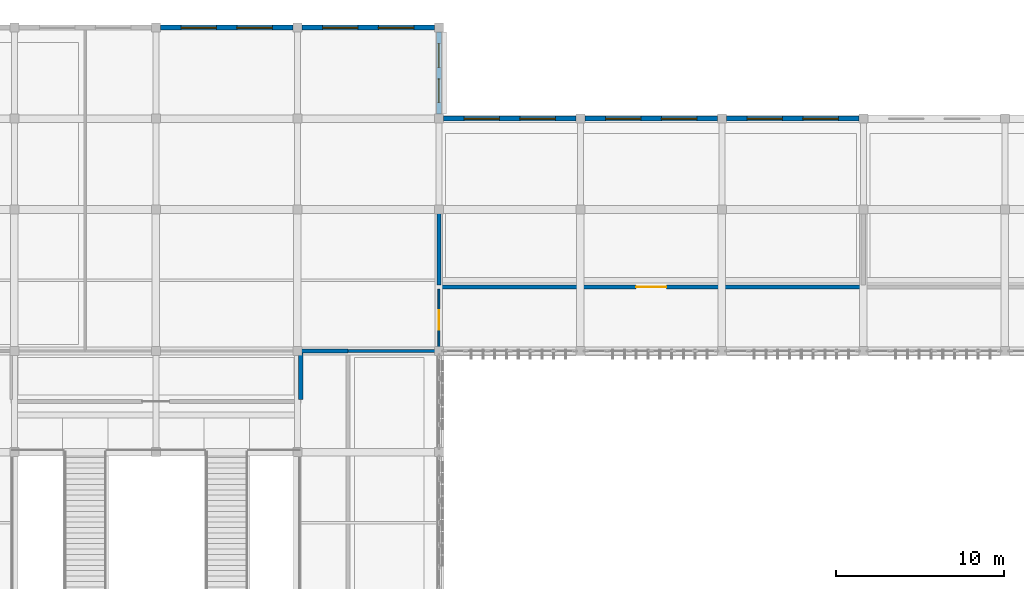
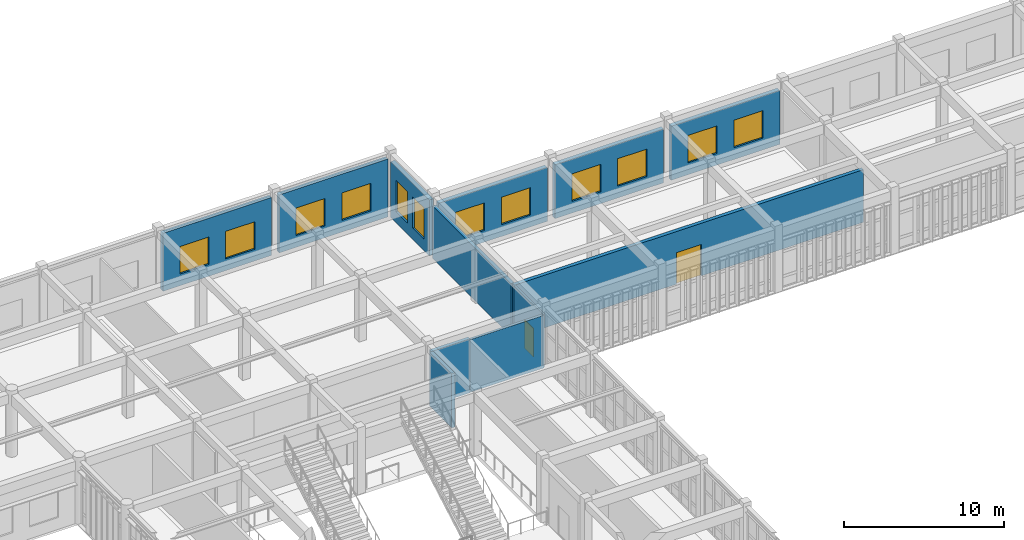
# One storey, part 91 of 106: 12 walls, 12 windows, 2 doors, 14 openings.
"""IFC4 building model written with IfcOpenShell, lengths in metres."""

from ifc_helpers import new_model, si_unit, direction, frame, frame_2d, origin, place, context, subcontext, project, spatial, rectangle, extrude, material, layer, layer_set, type_object, element, fill, save


model = new_model("IFC4")

# Units and contexts
model_context = context("Model", 3, precision=1e-05, world=origin(), true_north=direction((0.0, 1.0)))
body_context = subcontext(model_context, "Body", "Model", "MODEL_VIEW")
ifc_project = project(units=[si_unit("LENGTHUNIT", "METRE"), si_unit("AREAUNIT", "SQUARE_METRE"), si_unit("VOLUMEUNIT", "CUBIC_METRE"), si_unit("PLANEANGLEUNIT", "RADIAN"), si_unit("MASSUNIT", "GRAM", prefix="KILO")], contexts=[model_context])

# Site, building, storey
site_placement = place(None, origin())
site = spatial("IfcSite", under=ifc_project, at=site_placement, CompositionType="ELEMENT")
building_placement = place(site_placement, origin())
building = spatial("IfcBuilding", under=site, at=building_placement, Name="Krzemoval Escarpment Law Courts", CompositionType="ELEMENT")
storey_placement = place(building_placement, frame((0.0, 0.0, 5.10009765625)))
storey = spatial("IfcBuildingStorey", under=building, at=storey_placement, Name="L01", CompositionType="ELEMENT", Elevation=5.10009765625)

# Wall, openings, windows
ifc_material_1 = material(Name="Precast concrete C40/50", Category="concrete")
ifc_layer_1 = layer(ifc_material_1, 0.300048828125)
ifc_layer_set_1 = layer_set([ifc_layer_1], Name="Precast concrete C40/50")
wall_type_1 = type_object("IfcWallType", Name="WL-EXT-300", PredefinedType="SOLIDWALL", material=ifc_layer_set_1)
wall_1_placement = place(storey_placement, frame((25.47509765625, 118.800048828125, 0.0), z_axis=(0.0, 0.0, 1.0), x_axis=(1.0, 0.0, 0.0)))
wall_1 = element("IfcWall", 1, at=wall_1_placement, inside=storey, type_object=wall_type_1, Name="Exterior Wall EW-L01-0183", PredefinedType="SOLIDWALL", context=body_context, shape_type="SweptSolid", body=[
    extrude(rectangle(XDim=7.849853515625, YDim=0.300048828125, at=frame_2d((3.9248046875, 0.0))), origin(), (0.0, 0.0, 1.0), 4.429931640625),
])
opening_1_placement = place(wall_1_placement, frame((1.217041015625, 0.0, 0.89990234375)))
opening_1 = element("IfcOpeningElement", 2, at=opening_1_placement, cuts=wall_1, Name="Opening WN-L01-0161", PredefinedType="OPENING", context=body_context, shape_type="SweptSolid", body=[
    extrude(rectangle(XDim=2.10009765625, YDim=2.10009765625, at=frame_2d((1.050048828125, 1.050048828125))), frame((0.0, 0.16502, 0.0), z_axis=(0.0, -1.0, 0.0), x_axis=(1.0, 0.0, 0.0)), (0.0, 0.0, 1.0), 0.33005),
])
opening_2_placement = place(wall_1_placement, frame((4.532958984375, 0.0, 0.89990234375)))
opening_2 = element("IfcOpeningElement", 3, at=opening_2_placement, cuts=wall_1, Name="Opening WN-L01-0162", PredefinedType="OPENING", context=body_context, shape_type="SweptSolid", body=[
    extrude(rectangle(XDim=2.10009765625, YDim=2.10009765625, at=frame_2d((1.050048828125, 1.050048828125))), frame((0.0, 0.16502, 0.0), z_axis=(0.0, -1.0, 0.0), x_axis=(1.0, 0.0, 0.0)), (0.0, 0.0, 1.0), 0.33005),
])
ifc_material_2 = material(Name="Thermally Broken Aluminium Frame with Triple Low-E Acoustic Glass", Category="aluminium")
window_type_1 = type_object("IfcWindowType", Name="WN-2100x2100", PartitioningType="SINGLE_PANEL", PredefinedType="WINDOW", material=ifc_material_2)
window_1_placement = place(opening_1_placement, origin())
window_1 = element("IfcWindow", 4, at=window_1_placement, inside=storey, type_object=window_type_1, Name="Facade Window WN-L01-0161", OverallHeight=2.10009765625, OverallWidth=2.10009765625, PartitioningType="SINGLE_PANEL", PredefinedType="WINDOW", context=body_context, shape_type="SweptSolid", body=[
    extrude(rectangle(XDim=2.10009765625, YDim=2.10009765625, at=frame_2d((1.050048828125, 1.050048828125))), frame((0.0, 0.030029296875, 0.0), z_axis=(0.0, -1.0, 0.0), x_axis=(1.0, 0.0, 0.0)), (0.0, 0.0, 1.0), 0.06005859375),
])
fill(opening_1, window_1)
window_2_placement = place(opening_2_placement, origin())
window_2 = element("IfcWindow", 5, at=window_2_placement, inside=storey, type_object=window_type_1, Name="Facade Window WN-L01-0162", OverallHeight=2.10009765625, OverallWidth=2.10009765625, PartitioningType="SINGLE_PANEL", PredefinedType="WINDOW", context=body_context, shape_type="SweptSolid", body=[
    extrude(rectangle(XDim=2.10009765625, YDim=2.10009765625, at=frame_2d((1.050048828125, 1.050048828125))), frame((0.0, 0.030029296875, 0.0), z_axis=(0.0, -1.0, 0.0), x_axis=(1.0, 0.0, 0.0)), (0.0, 0.0, 1.0), 0.06005859375),
])
fill(opening_2, window_2)

wall_2_placement = place(storey_placement, frame((33.875, 118.800048828125, 0.0), z_axis=(0.0, 0.0, 1.0), x_axis=(1.0, 0.0, 0.0)))
wall_2 = element("IfcWall", 6, at=wall_2_placement, inside=storey, type_object=wall_type_1, Name="Exterior Wall EW-L01-0184", PredefinedType="SOLIDWALL", context=body_context, shape_type="SweptSolid", body=[
    extrude(rectangle(XDim=7.85009765625, YDim=0.300048828125, at=frame_2d((3.925048828125, 0.0))), origin(), (0.0, 0.0, 1.0), 4.429931640625),
])
opening_3_placement = place(wall_2_placement, frame((1.217041015625, 0.0, 0.89990234375)))
opening_3 = element("IfcOpeningElement", 7, at=opening_3_placement, cuts=wall_2, Name="Opening WN-L01-0163", PredefinedType="OPENING", context=body_context, shape_type="SweptSolid", body=[
    extrude(rectangle(XDim=2.10009765625, YDim=2.10009765625, at=frame_2d((1.050048828125, 1.050048828125))), frame((0.0, 0.16502, 0.0), z_axis=(0.0, -1.0, 0.0), x_axis=(1.0, 0.0, 0.0)), (0.0, 0.0, 1.0), 0.33005),
])
opening_4_placement = place(wall_2_placement, frame((4.532958984375, 0.0, 0.89990234375)))
opening_4 = element("IfcOpeningElement", 8, at=opening_4_placement, cuts=wall_2, Name="Opening WN-L01-0164", PredefinedType="OPENING", context=body_context, shape_type="SweptSolid", body=[
    extrude(rectangle(XDim=2.10009765625, YDim=2.10009765625, at=frame_2d((1.050048828125, 1.050048828125))), frame((0.0, 0.16502, 0.0), z_axis=(0.0, -1.0, 0.0), x_axis=(1.0, 0.0, 0.0)), (0.0, 0.0, 1.0), 0.33005),
])
window_3_placement = place(opening_3_placement, origin())
window_3 = element("IfcWindow", 9, at=window_3_placement, inside=storey, type_object=window_type_1, Name="Facade Window WN-L01-0163", OverallHeight=2.10009765625, OverallWidth=2.10009765625, PartitioningType="SINGLE_PANEL", PredefinedType="WINDOW", context=body_context, shape_type="SweptSolid", body=[
    extrude(rectangle(XDim=2.10009765625, YDim=2.10009765625, at=frame_2d((1.050048828125, 1.050048828125))), frame((0.0, 0.030029296875, 0.0), z_axis=(0.0, -1.0, 0.0), x_axis=(1.0, 0.0, 0.0)), (0.0, 0.0, 1.0), 0.06005859375),
])
fill(opening_3, window_3)
window_4_placement = place(opening_4_placement, origin())
window_4 = element("IfcWindow", 10, at=window_4_placement, inside=storey, type_object=window_type_1, Name="Facade Window WN-L01-0164", OverallHeight=2.10009765625, OverallWidth=2.10009765625, PartitioningType="SINGLE_PANEL", PredefinedType="WINDOW", context=body_context, shape_type="SweptSolid", body=[
    extrude(rectangle(XDim=2.10009765625, YDim=2.10009765625, at=frame_2d((1.050048828125, 1.050048828125))), frame((0.0, 0.030029296875, 0.0), z_axis=(0.0, -1.0, 0.0), x_axis=(1.0, 0.0, 0.0)), (0.0, 0.0, 1.0), 0.06005859375),
])
fill(opening_4, window_4)

wall_3_placement = place(storey_placement, frame((42.0, 118.52490234375, 0.0), z_axis=(0.0, 0.0, 1.0), x_axis=(0.0, -1.0, 0.0)))
wall_3 = element("IfcWall", 11, at=wall_3_placement, inside=storey, type_object=wall_type_1, Name="Exterior Wall EW-L01-0185", PredefinedType="SOLIDWALL", context=body_context, shape_type="SweptSolid", body=[
    extrude(rectangle(XDim=4.849853515625, YDim=0.300048828125, at=frame_2d((2.4248046875, 0.0))), origin(), (0.0, 0.0, 1.0), 4.27001953125),
])
opening_5_placement = place(wall_3_placement, frame((0.68310546875, 0.0, 0.85009765625)))
opening_5 = element("IfcOpeningElement", 12, at=opening_5_placement, cuts=wall_3, Name="Opening WN-L01-0165", PredefinedType="OPENING", context=body_context, shape_type="SweptSolid", body=[
    extrude(rectangle(XDim=1.39990234375, YDim=2.39990234375, at=frame_2d((0.699951171875, 1.199951171875))), frame((0.0, 0.16502, 0.0), z_axis=(0.0, -1.0, 0.0), x_axis=(1.0, 0.0, 0.0)), (0.0, 0.0, 1.0), 0.33005),
])
opening_6_placement = place(wall_3_placement, frame((2.76708984375, 0.0, 0.85009765625)))
opening_6 = element("IfcOpeningElement", 13, at=opening_6_placement, cuts=wall_3, Name="Opening WN-L01-0166", PredefinedType="OPENING", context=body_context, shape_type="SweptSolid", body=[
    extrude(rectangle(XDim=1.39990234375, YDim=2.39990234375, at=frame_2d((0.699951171875, 1.199951171875))), frame((0.0, 0.16502, 0.0), z_axis=(0.0, -1.0, 0.0), x_axis=(1.0, 0.0, 0.0)), (0.0, 0.0, 1.0), 0.33005),
])
ifc_material_3 = material(Name="Thermally Broken Aluminium Frame with Triple Low-E Acoustic Glass", Category="aluminium")
window_type_2 = type_object("IfcWindowType", Name="WN-1400x2400", PartitioningType="SINGLE_PANEL", PredefinedType="WINDOW", material=ifc_material_3)
window_5_placement = place(opening_5_placement, origin())
window_5 = element("IfcWindow", 14, at=window_5_placement, inside=storey, type_object=window_type_2, Name="Facade Window WN-L01-0165", OverallHeight=2.39990234375, OverallWidth=1.39990234375, PartitioningType="SINGLE_PANEL", PredefinedType="WINDOW", context=body_context, shape_type="SweptSolid", body=[
    extrude(rectangle(XDim=1.39990234375, YDim=2.39990234375, at=frame_2d((0.699951171875, 1.199951171875))), frame((0.0, 0.030029296875, 0.0), z_axis=(0.0, -1.0, 0.0), x_axis=(1.0, 0.0, 0.0)), (0.0, 0.0, 1.0), 0.06005859375),
])
fill(opening_5, window_5)
window_6_placement = place(opening_6_placement, origin())
window_6 = element("IfcWindow", 15, at=window_6_placement, inside=storey, type_object=window_type_2, Name="Facade Window WN-L01-0166", OverallHeight=2.39990234375, OverallWidth=1.39990234375, PartitioningType="SINGLE_PANEL", PredefinedType="WINDOW", context=body_context, shape_type="SweptSolid", body=[
    extrude(rectangle(XDim=1.39990234375, YDim=2.39990234375, at=frame_2d((0.699951171875, 1.199951171875))), frame((0.0, 0.030029296875, 0.0), z_axis=(0.0, -1.0, 0.0), x_axis=(1.0, 0.0, 0.0)), (0.0, 0.0, 1.0), 0.06005859375),
])
fill(opening_6, window_6)

wall_4_placement = place(storey_placement, frame((42.27490234375, 113.39990234375, 0.0), z_axis=(0.0, 0.0, 1.0), x_axis=(1.0, 0.0, 0.0)))
wall_4 = element("IfcWall", 16, at=wall_4_placement, inside=storey, type_object=wall_type_1, Name="Exterior Wall EW-L01-0186", PredefinedType="SOLIDWALL", context=body_context, shape_type="SweptSolid", body=[
    extrude(rectangle(XDim=7.85009765625, YDim=0.300048828125, at=frame_2d((3.925048828125, 0.0))), origin(), (0.0, 0.0, 1.0), 4.119873046875),
])
opening_7_placement = place(wall_4_placement, frame((1.217041015625, 0.0, 0.89990234375)))
opening_7 = element("IfcOpeningElement", 17, at=opening_7_placement, cuts=wall_4, Name="Opening WN-L01-0167", PredefinedType="OPENING", context=body_context, shape_type="SweptSolid", body=[
    extrude(rectangle(XDim=2.10009765625, YDim=2.10009765625, at=frame_2d((1.050048828125, 1.050048828125))), frame((0.0, 0.16502, 0.0), z_axis=(0.0, -1.0, 0.0), x_axis=(1.0, 0.0, 0.0)), (0.0, 0.0, 1.0), 0.33005),
])
opening_8_placement = place(wall_4_placement, frame((4.532958984375, 0.0, 0.89990234375)))
opening_8 = element("IfcOpeningElement", 18, at=opening_8_placement, cuts=wall_4, Name="Opening WN-L01-0168", PredefinedType="OPENING", context=body_context, shape_type="SweptSolid", body=[
    extrude(rectangle(XDim=2.10009765625, YDim=2.10009765625, at=frame_2d((1.050048828125, 1.050048828125))), frame((0.0, 0.16502, 0.0), z_axis=(0.0, -1.0, 0.0), x_axis=(1.0, 0.0, 0.0)), (0.0, 0.0, 1.0), 0.33005),
])
window_7_placement = place(opening_7_placement, origin())
window_7 = element("IfcWindow", 19, at=window_7_placement, inside=storey, type_object=window_type_1, Name="Facade Window WN-L01-0167", OverallHeight=2.10009765625, OverallWidth=2.10009765625, PartitioningType="SINGLE_PANEL", PredefinedType="WINDOW", context=body_context, shape_type="SweptSolid", body=[
    extrude(rectangle(XDim=2.10009765625, YDim=2.10009765625, at=frame_2d((1.050048828125, 1.050048828125))), frame((0.0, 0.030029296875, 0.0), z_axis=(0.0, -1.0, 0.0), x_axis=(1.0, 0.0, 0.0)), (0.0, 0.0, 1.0), 0.06005859375),
])
fill(opening_7, window_7)
window_8_placement = place(opening_8_placement, origin())
window_8 = element("IfcWindow", 20, at=window_8_placement, inside=storey, type_object=window_type_1, Name="Facade Window WN-L01-0168", OverallHeight=2.10009765625, OverallWidth=2.10009765625, PartitioningType="SINGLE_PANEL", PredefinedType="WINDOW", context=body_context, shape_type="SweptSolid", body=[
    extrude(rectangle(XDim=2.10009765625, YDim=2.10009765625, at=frame_2d((1.050048828125, 1.050048828125))), frame((0.0, 0.030029296875, 0.0), z_axis=(0.0, -1.0, 0.0), x_axis=(1.0, 0.0, 0.0)), (0.0, 0.0, 1.0), 0.06005859375),
])
fill(opening_8, window_8)

wall_5_placement = place(storey_placement, frame((50.675048828125, 113.39990234375, 0.0), z_axis=(0.0, 0.0, 1.0), x_axis=(1.0, 0.0, 0.0)))
wall_5 = element("IfcWall", 21, at=wall_5_placement, inside=storey, type_object=wall_type_1, Name="Exterior Wall EW-L01-0187", PredefinedType="SOLIDWALL", context=body_context, shape_type="SweptSolid", body=[
    extrude(rectangle(XDim=7.849853515625, YDim=0.300048828125, at=frame_2d((3.9248046875, 0.0))), origin(), (0.0, 0.0, 1.0), 4.119873046875),
])
opening_9_placement = place(wall_5_placement, frame((1.217041015625, 0.0, 0.89990234375)))
opening_9 = element("IfcOpeningElement", 22, at=opening_9_placement, cuts=wall_5, Name="Opening WN-L01-0169", PredefinedType="OPENING", context=body_context, shape_type="SweptSolid", body=[
    extrude(rectangle(XDim=2.10009765625, YDim=2.10009765625, at=frame_2d((1.050048828125, 1.050048828125))), frame((0.0, 0.16502, 0.0), z_axis=(0.0, -1.0, 0.0), x_axis=(1.0, 0.0, 0.0)), (0.0, 0.0, 1.0), 0.33005),
])
opening_10_placement = place(wall_5_placement, frame((4.532958984375, 0.0, 0.89990234375)))
opening_10 = element("IfcOpeningElement", 23, at=opening_10_placement, cuts=wall_5, Name="Opening WN-L01-0170", PredefinedType="OPENING", context=body_context, shape_type="SweptSolid", body=[
    extrude(rectangle(XDim=2.10009765625, YDim=2.10009765625, at=frame_2d((1.050048828125, 1.050048828125))), frame((0.0, 0.16502, 0.0), z_axis=(0.0, -1.0, 0.0), x_axis=(1.0, 0.0, 0.0)), (0.0, 0.0, 1.0), 0.33005),
])
window_9_placement = place(opening_9_placement, origin())
window_9 = element("IfcWindow", 24, at=window_9_placement, inside=storey, type_object=window_type_1, Name="Facade Window WN-L01-0169", OverallHeight=2.10009765625, OverallWidth=2.10009765625, PartitioningType="SINGLE_PANEL", PredefinedType="WINDOW", context=body_context, shape_type="SweptSolid", body=[
    extrude(rectangle(XDim=2.10009765625, YDim=2.10009765625, at=frame_2d((1.050048828125, 1.050048828125))), frame((0.0, 0.030029296875, 0.0), z_axis=(0.0, -1.0, 0.0), x_axis=(1.0, 0.0, 0.0)), (0.0, 0.0, 1.0), 0.06005859375),
])
fill(opening_9, window_9)
window_10_placement = place(opening_10_placement, origin())
window_10 = element("IfcWindow", 25, at=window_10_placement, inside=storey, type_object=window_type_1, Name="Facade Window WN-L01-0170", OverallHeight=2.10009765625, OverallWidth=2.10009765625, PartitioningType="SINGLE_PANEL", PredefinedType="WINDOW", context=body_context, shape_type="SweptSolid", body=[
    extrude(rectangle(XDim=2.10009765625, YDim=2.10009765625, at=frame_2d((1.050048828125, 1.050048828125))), frame((0.0, 0.030029296875, 0.0), z_axis=(0.0, -1.0, 0.0), x_axis=(1.0, 0.0, 0.0)), (0.0, 0.0, 1.0), 0.06005859375),
])
fill(opening_10, window_10)

wall_6_placement = place(storey_placement, frame((59.074951171875, 113.39990234375, 0.0), z_axis=(0.0, 0.0, 1.0), x_axis=(1.0, 0.0, 0.0)))
wall_6 = element("IfcWall", 26, at=wall_6_placement, inside=storey, type_object=wall_type_1, Name="Exterior Wall EW-L01-0188", PredefinedType="SOLIDWALL", context=body_context, shape_type="SweptSolid", body=[
    extrude(rectangle(XDim=7.85009765625, YDim=0.300048828125, at=frame_2d((3.925048828125, 0.0))), origin(), (0.0, 0.0, 1.0), 4.119873046875),
])
opening_11_placement = place(wall_6_placement, frame((1.217041015625, 0.0, 0.89990234375)))
opening_11 = element("IfcOpeningElement", 27, at=opening_11_placement, cuts=wall_6, Name="Opening WN-L01-0171", PredefinedType="OPENING", context=body_context, shape_type="SweptSolid", body=[
    extrude(rectangle(XDim=2.10009765625, YDim=2.10009765625, at=frame_2d((1.050048828125, 1.050048828125))), frame((0.0, 0.16502, 0.0), z_axis=(0.0, -1.0, 0.0), x_axis=(1.0, 0.0, 0.0)), (0.0, 0.0, 1.0), 0.33005),
])
opening_12_placement = place(wall_6_placement, frame((4.532958984375, 0.0, 0.89990234375)))
opening_12 = element("IfcOpeningElement", 28, at=opening_12_placement, cuts=wall_6, Name="Opening WN-L01-0172", PredefinedType="OPENING", context=body_context, shape_type="SweptSolid", body=[
    extrude(rectangle(XDim=2.10009765625, YDim=2.10009765625, at=frame_2d((1.050048828125, 1.050048828125))), frame((0.0, 0.16502, 0.0), z_axis=(0.0, -1.0, 0.0), x_axis=(1.0, 0.0, 0.0)), (0.0, 0.0, 1.0), 0.33005),
])
window_11_placement = place(opening_11_placement, origin())
window_11 = element("IfcWindow", 29, at=window_11_placement, inside=storey, type_object=window_type_1, Name="Facade Window WN-L01-0171", OverallHeight=2.10009765625, OverallWidth=2.10009765625, PartitioningType="SINGLE_PANEL", PredefinedType="WINDOW", context=body_context, shape_type="SweptSolid", body=[
    extrude(rectangle(XDim=2.10009765625, YDim=2.10009765625, at=frame_2d((1.050048828125, 1.050048828125))), frame((0.0, 0.030029296875, 0.0), z_axis=(0.0, -1.0, 0.0), x_axis=(1.0, 0.0, 0.0)), (0.0, 0.0, 1.0), 0.06005859375),
])
fill(opening_11, window_11)
window_12_placement = place(opening_12_placement, origin())
window_12 = element("IfcWindow", 30, at=window_12_placement, inside=storey, type_object=window_type_1, Name="Facade Window WN-L01-0172", OverallHeight=2.10009765625, OverallWidth=2.10009765625, PartitioningType="SINGLE_PANEL", PredefinedType="WINDOW", context=body_context, shape_type="SweptSolid", body=[
    extrude(rectangle(XDim=2.10009765625, YDim=2.10009765625, at=frame_2d((1.050048828125, 1.050048828125))), frame((0.0, 0.030029296875, 0.0), z_axis=(0.0, -1.0, 0.0), x_axis=(1.0, 0.0, 0.0)), (0.0, 0.0, 1.0), 0.06005859375),
])
fill(opening_12, window_12)

# Wall, opening, door
ifc_material_4 = material(Name="Light Internal Subdivision Partition", Category="gypsum")
ifc_layer_2 = layer(ifc_material_4, 0.114990234375)
ifc_layer_set_2 = layer_set([ifc_layer_2], Name="Light Internal Subdivision Partition")
wall_type_2 = type_object("IfcWallType", Name="WL-PRT-115", PredefinedType="PARTITIONING", material=ifc_layer_set_2)
wall_7_placement = place(storey_placement, frame((42.0, 99.60009765625, 0.0), z_axis=(0.0, 0.0, 1.0), x_axis=(0.0, 1.0, 0.0)))
wall_7 = element("IfcWall", 31, at=wall_7_placement, inside=storey, type_object=wall_type_2, Name="Interior Partition PW-L01-0315", PredefinedType="PARTITIONING", context=body_context, shape_type="SweptSolid", body=[
    extrude(rectangle(XDim=3.66796875, YDim=0.114990234375, at=frame_2d((1.833984375, 0.0))), origin(), (0.0, 0.0, 1.0), 4.02001953125),
])
opening_13_placement = place(wall_7_placement, frame((1.259033203125, 0.0, 0.0)))
opening_13 = element("IfcOpeningElement", 32, at=opening_13_placement, cuts=wall_7, Name="Opening D-L01-0113", PredefinedType="OPENING", context=body_context, shape_type="SweptSolid", body=[
    extrude(rectangle(XDim=1.14990234375, YDim=2.14990234375, at=frame_2d((0.574951171875, 1.074951171875))), frame((0.0, 0.0725, 0.0), z_axis=(0.0, -1.0, 0.0), x_axis=(1.0, 0.0, 0.0)), (0.0, 0.0, 1.0), 0.14499),
])
ifc_material_5 = material(Name="Engineered Solid-Core Oak Acoustic Timber", Category="wood")
door_type_1 = type_object("IfcDoorType", Name="DR-INT-1150x2150", OperationType="SINGLE_SWING_LEFT", PredefinedType="DOOR", material=ifc_material_5)
door_1_placement = place(opening_13_placement, origin())
door_1 = element("IfcDoor", 33, at=door_1_placement, inside=storey, type_object=door_type_1, Name="Room Door D-L01-0113", OperationType="SINGLE_SWING_RIGHT", OverallHeight=2.14990234375, OverallWidth=1.14990234375, PredefinedType="DOOR", context=body_context, shape_type="SweptSolid", body=[
    extrude(rectangle(XDim=1.14990234375, YDim=2.14990234375, at=frame_2d((0.574951171875, 1.074951171875))), frame((0.0, 0.02490234375, 0.0), z_axis=(0.0, -1.0, 0.0), x_axis=(1.0, 0.0, 0.0)), (0.0, 0.0, 1.0), 0.050048828125),
])
fill(opening_13, door_1)

# Walls
ifc_material_6 = material(Name="Judicial Chambers Acoustic Partition", Category="gypsum")
ifc_layer_3 = layer(ifc_material_6, 0.179931640625)
ifc_layer_set_3 = layer_set([ifc_layer_3], Name="Judicial Chambers Acoustic Partition")
wall_type_3 = type_object("IfcWallType", Name="WL-PRT-180", PredefinedType="PARTITIONING", material=ifc_layer_set_3)
wall_8_placement = place(storey_placement, frame((36.60009765625, 99.60009765625, 0.0), z_axis=(0.0, 0.0, 1.0), x_axis=(1.0, 0.0, 0.0)))
element("IfcWall", 34, at=wall_8_placement, inside=storey, type_object=wall_type_3, Name="Interior Partition PW-L01-0281", PredefinedType="PARTITIONING", context=body_context, shape_type="SweptSolid", body=[
    extrude(rectangle(XDim=5.3359375, YDim=0.179931640625, at=frame_2d((2.66796875, 0.0))), origin(), (0.0, 0.0, 1.0), 4.02001953125),
])
ifc_material_7 = material(Name="Acoustic Courtroom Partition Assembly", Category="gypsum")
ifc_layer_4 = layer(ifc_material_7, 0.239990234375)
ifc_layer_set_4 = layer_set([ifc_layer_4], Name="Acoustic Courtroom Partition Assembly")
wall_type_4 = type_object("IfcWallType", Name="WL-PRT-240", PredefinedType="PARTITIONING", material=ifc_layer_set_4)
wall_9_placement = place(storey_placement, frame((33.800048828125, 99.60009765625, 0.0), z_axis=(0.0, 0.0, 1.0), x_axis=(1.0, 0.0, 0.0)))
element("IfcWall", 35, at=wall_9_placement, inside=storey, type_object=wall_type_4, Name="Interior Partition PW-L01-0280", PredefinedType="PARTITIONING", context=body_context, shape_type="SweptSolid", body=[
    extrude(rectangle(XDim=2.800048828125, YDim=0.239990234375, at=frame_2d((1.39990234375, 0.0))), origin(), (0.0, 0.0, 1.0), 4.119873046875),
])
wall_10_placement = place(storey_placement, frame((42.0, 103.531982421875, 0.0), z_axis=(0.0, 0.0, 1.0), x_axis=(0.0, 1.0, 0.0)))
element("IfcWall", 36, at=wall_10_placement, inside=storey, type_object=wall_type_4, Name="Interior Partition PW-L01-0316", PredefinedType="PARTITIONING", context=body_context, shape_type="SweptSolid", body=[
    extrude(rectangle(XDim=9.7939453125, YDim=0.239990234375, at=frame_2d((4.89697265625, 0.0))), origin(), (0.0, 0.0, 1.0), 4.02001953125),
])

# Wall, opening, door
ifc_material_8 = material(Name="Acoustic Double-Stud Gypsum and Mineral Wool Wall", Category="gypsum")
ifc_layer_5 = layer(ifc_material_8, 0.260009765625)
ifc_layer_set_5 = layer_set([ifc_layer_5], Name="Acoustic Double-Stud Gypsum and Mineral Wool Wall")
wall_type_5 = type_object("IfcWallType", Name="WL-PRT-260", PredefinedType="PARTITIONING", material=ifc_layer_set_5)
wall_11_placement = place(storey_placement, frame((42.0, 103.39990234375, 0.0), z_axis=(0.0, 0.0, 1.0), x_axis=(1.0, 0.0, 0.0)))
wall_11 = element("IfcWall", 37, at=wall_11_placement, inside=storey, type_object=wall_type_5, Name="Interior Partition PW-L01-0285", PredefinedType="PARTITIONING", context=body_context, shape_type="SweptSolid", body=[
    extrude(rectangle(XDim=25.199951171875, YDim=0.260009765625, at=frame_2d((12.60009765625, 0.0))), origin(), (0.0, 0.0, 1.0), 4.02001953125),
])
opening_14_placement = place(wall_11_placement, frame((11.699951171875, 0.0, 0.0)))
opening_14 = element("IfcOpeningElement", 38, at=opening_14_placement, cuts=wall_11, Name="Opening D-L01-0114", PredefinedType="OPENING", context=body_context, shape_type="SweptSolid", body=[
    extrude(rectangle(XDim=1.800048828125, YDim=2.39990234375, at=frame_2d((0.89990234375, 1.199951171875))), frame((0.0, 0.145, 0.0), z_axis=(0.0, -1.0, 0.0), x_axis=(1.0, 0.0, 0.0)), (0.0, 0.0, 1.0), 0.29001),
])
ifc_material_9 = material(Name="Engineered Solid-Core Oak Acoustic Timber", Category="wood")
door_type_2 = type_object("IfcDoorType", Name="DR-CRT-1800x2400", OperationType="SINGLE_SWING_LEFT", PredefinedType="DOOR", material=ifc_material_9)
door_2_placement = place(opening_14_placement, origin())
door_2 = element("IfcDoor", 39, at=door_2_placement, inside=storey, type_object=door_type_2, Name="Room Door D-L01-0114", OperationType="SINGLE_SWING_LEFT", OverallHeight=2.39990234375, OverallWidth=1.800048828125, PredefinedType="DOOR", context=body_context, shape_type="SweptSolid", body=[
    extrude(rectangle(XDim=1.800048828125, YDim=2.39990234375, at=frame_2d((0.89990234375, 1.199951171875))), frame((0.0, 0.02490234375, 0.0), z_axis=(0.0, -1.0, 0.0), x_axis=(1.0, 0.0, 0.0)), (0.0, 0.0, 1.0), 0.050048828125),
])
fill(opening_14, door_2)

# Wall
wall_12_placement = place(storey_placement, frame((33.800048828125, 96.721923828125, 0.0), z_axis=(0.0, 0.0, 1.0), x_axis=(0.0, 1.0, 0.0)))
element("IfcWall", 40, at=wall_12_placement, inside=storey, type_object=wall_type_5, Name="Interior Partition PW-L01-0312", PredefinedType="PARTITIONING", context=body_context, shape_type="SweptSolid", body=[
    extrude(rectangle(XDim=2.756103515625, YDim=0.260009765625, at=frame_2d((1.3779296875, 0.0))), origin(), (0.0, 0.0, 1.0), 4.119873046875),
])

save(model, "model.ifc")
